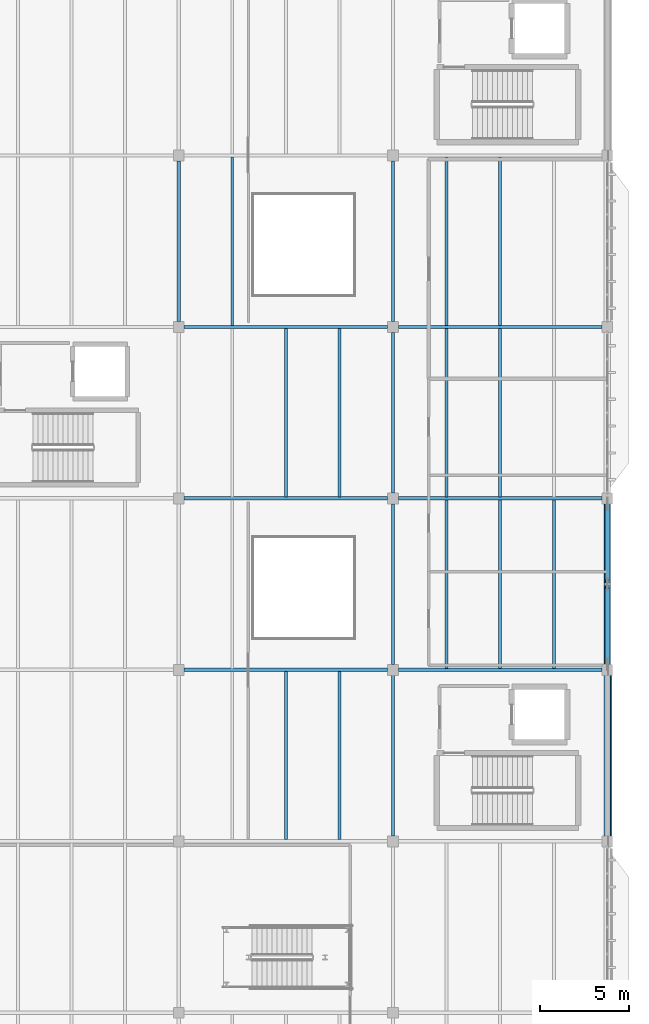
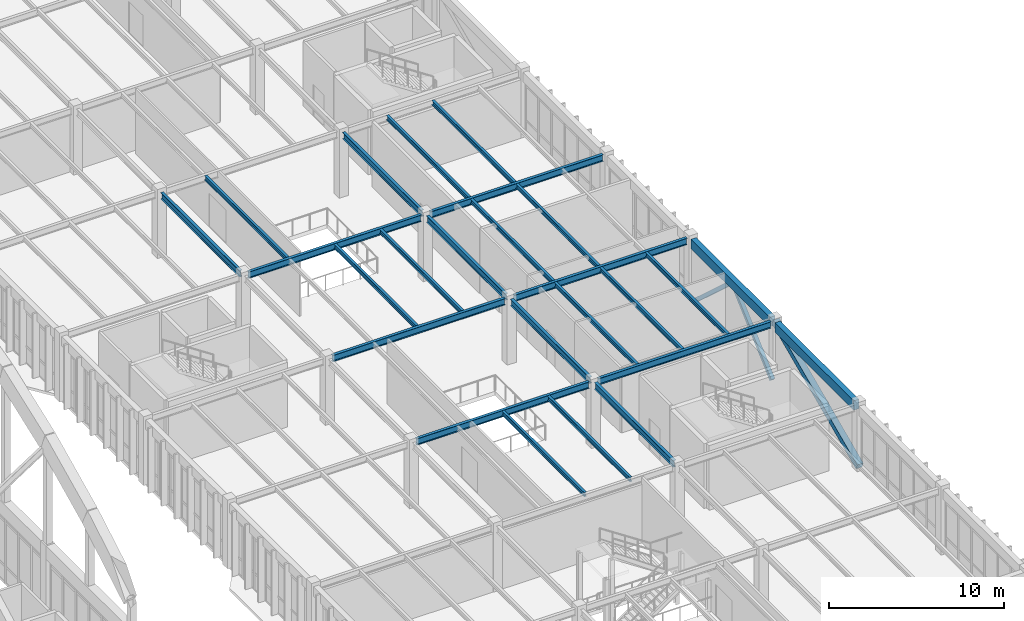
# One storey, part 148 of 236: 25 beams, 3 members.
"""IFC4 building model written with IfcOpenShell, lengths in metres."""

from ifc_helpers import new_model, si_unit, direction, frame, origin, origin_2d, place, context, subcontext, project, spatial, rectangle, hollow_rectangle, i_section, extrude, material, material_profile, profile_set, type_object, element, save


model = new_model("IFC4")

# Units and contexts
model_context = context("Model", 3, precision=1e-05, world=origin(), true_north=direction((0.0, 1.0)))
body_context = subcontext(model_context, "Body", "Model", "MODEL_VIEW")
ifc_project = project(units=[si_unit("LENGTHUNIT", "METRE"), si_unit("AREAUNIT", "SQUARE_METRE"), si_unit("VOLUMEUNIT", "CUBIC_METRE"), si_unit("PLANEANGLEUNIT", "RADIAN"), si_unit("MASSUNIT", "GRAM", prefix="KILO")], contexts=[model_context])

# Site, building, storey
site_placement = place(None, origin())
site = spatial("IfcSite", under=ifc_project, at=site_placement, CompositionType="ELEMENT")
building_placement = place(site_placement, origin())
building = spatial("IfcBuilding", under=site, at=building_placement, Name="Pandanus Reach Market Hall", CompositionType="ELEMENT")
storey_placement = place(building_placement, frame((0.0, 0.0, 5.39990234375)))
storey = spatial("IfcBuildingStorey", under=building, at=storey_placement, Name="L01", CompositionType="ELEMENT", Elevation=5.39990234375)

# Beams
ifc_material_1 = material(Name="Concrete N40 (40 MPa)", Category="concrete")
ifc_material_profile_1 = material_profile(ifc_material_1, rectangle(XDim=0.35009765625, YDim=0.64990234375, at=origin_2d()), Name="RC350x650", Category="LoadBearing")
ifc_profile_set_1 = profile_set([ifc_material_profile_1], Name="Concrete N40 (40 MPa)")
beam_type_1 = type_object("IfcBeamType", Name="BM-RC350-E", PredefinedType="SPANDREL", material=ifc_profile_set_1)
beam_1_placement = place(storey_placement, frame((180.0, 29.097900390625, 4.215087890625), z_axis=(0.0, 1.0, 0.0), x_axis=(-1.0, 0.0, 0.0)))
element("IfcBeam", 1, at=beam_1_placement, inside=storey, type_object=beam_type_1, Name="Framing beam BM-RC350-E L01.365", PredefinedType="SPANDREL", context=body_context, shape_type="SweptSolid", body=[
    extrude(rectangle(XDim=0.35009765625, YDim=0.64990234375, at=origin_2d()), origin(), (0.0, 0.0, 1.0), 9.004150390625),
])
beam_2_placement = place(storey_placement, frame((180.0, 38.697998046875, 4.215087890625), z_axis=(0.0, 1.0, 0.0), x_axis=(-1.0, 0.0, 0.0)))
element("IfcBeam", 2, at=beam_2_placement, inside=storey, type_object=beam_type_1, Name="Framing beam BM-RC350-E L01.366", PredefinedType="SPANDREL", context=body_context, shape_type="SweptSolid", body=[
    extrude(rectangle(XDim=0.35009765625, YDim=0.64990234375, at=origin_2d()), origin(), (0.0, 0.0, 1.0), 9.00390625),
])
ifc_material_2 = material(Name="Steel Grade 350 (350 MPa)", Category="steel")
ifc_material_profile_2 = material_profile(ifc_material_2, i_section(OverallWidth=0.18994140625, OverallDepth=0.45703125, WebThickness=0.009033203125, FlangeThickness=0.014404296875, at=origin_2d()), Name="460UB74.6", Category="LoadBearing")
ifc_profile_set_2 = profile_set([ifc_material_profile_2], Name="Steel Grade 350 (350 MPa)")
beam_type_2 = type_object("IfcBeamType", Name="BM-UB460-I", PredefinedType="BEAM", material=ifc_profile_set_2)
for number, where, z_axis, x_axis, name in (
    (3, (156.298095703125, 38.39990234375, 4.311279296875), (1.0, 0.0, 0.0), (0.0, 1.0, 0.0), "Framing beam BM-UB460-I L01.316"),
    (4, (168.298095703125, 38.39990234375, 4.311279296875), (1.0, 0.0, 0.0), (0.0, 1.0, 0.0), "Framing beam BM-UB460-I L01.317"),
    (5, (156.298095703125, 48.0, 4.311279296875), (1.0, 0.0, 0.0), (0.0, 1.0, 0.0), "Framing beam BM-UB460-I L01.319"),
    (6, (168.298095703125, 48.0, 4.311279296875), (1.0, 0.0, 0.0), (0.0, 1.0, 0.0), "Framing beam BM-UB460-I L01.320"),
    (7, (156.298095703125, 57.60009765625, 4.311279296875), (1.0, 0.0, 0.0), (0.0, 1.0, 0.0), "Framing beam BM-UB460-I L01.322"),
    (8, (168.298095703125, 57.60009765625, 4.311279296875), (1.0, 0.0, 0.0), (0.0, 1.0, 0.0), "Framing beam BM-UB460-I L01.323"),
):
    element("IfcBeam", number, at=place(storey_placement, frame(where, z_axis=z_axis, x_axis=x_axis)), inside=storey, type_object=beam_type_2, Name=name, PredefinedType="BEAM", context=body_context, shape_type="SweptSolid", body=[
        extrude(i_section(OverallWidth=0.18994140625, OverallDepth=0.45703125, WebThickness=0.009033203125, FlangeThickness=0.014404296875, at=origin_2d()), origin(), (0.0, 0.0, 1.0), 11.40380859375),
    ])
for number, where, z_axis, x_axis, name in (
    (9, (156.0, 57.89794921875, 4.311279296875), (0.0, 1.0, 0.0), (-1.0, 0.0, 0.0), "Framing beam BM-UB460-I L01.350"),
    (10, (168.0, 29.097900390625, 4.311279296875), (0.0, 1.0, 0.0), (-1.0, 0.0, 0.0), "Framing beam BM-UB460-I L01.356"),
):
    element("IfcBeam", number, at=place(storey_placement, frame(where, z_axis=z_axis, x_axis=x_axis)), inside=storey, type_object=beam_type_2, Name=name, PredefinedType="BEAM", context=body_context, shape_type="SweptSolid", body=[
        extrude(i_section(OverallWidth=0.18994140625, OverallDepth=0.45703125, WebThickness=0.009033203125, FlangeThickness=0.014404296875, at=origin_2d()), origin(), (0.0, 0.0, 1.0), 9.004150390625),
    ])
for number, where, z_axis, x_axis, name in (
    (11, (168.0, 38.697998046875, 4.311279296875), (0.0, 1.0, 0.0), (-1.0, 0.0, 0.0), "Framing beam BM-UB460-I L01.357"),
    (12, (168.0, 48.298095703125, 4.311279296875), (0.0, 1.0, 0.0), (-1.0, 0.0, 0.0), "Framing beam BM-UB460-I L01.358"),
):
    element("IfcBeam", number, at=place(storey_placement, frame(where, z_axis=z_axis, x_axis=x_axis)), inside=storey, type_object=beam_type_2, Name=name, PredefinedType="BEAM", context=body_context, shape_type="SweptSolid", body=[
        extrude(i_section(OverallWidth=0.18994140625, OverallDepth=0.45703125, WebThickness=0.009033203125, FlangeThickness=0.014404296875, at=origin_2d()), origin(), (0.0, 0.0, 1.0), 9.00390625),
    ])
beam_3_placement = place(storey_placement, frame((168.0, 57.89794921875, 4.311279296875), z_axis=(0.0, 1.0, 0.0), x_axis=(-1.0, 0.0, 0.0)))
element("IfcBeam", 13, at=beam_3_placement, inside=storey, type_object=beam_type_2, Name="Framing beam BM-UB460-I L01.359", PredefinedType="BEAM", context=body_context, shape_type="SweptSolid", body=[
    extrude(i_section(OverallWidth=0.18994140625, OverallDepth=0.45703125, WebThickness=0.009033203125, FlangeThickness=0.014404296875, at=origin_2d()), origin(), (0.0, 0.0, 1.0), 9.004150390625),
])

# Members
ifc_material_profile_3 = material_profile(ifc_material_2, hollow_rectangle(XDim=0.25, YDim=0.25, WallThickness=0.010009765625, at=origin_2d()), Name="250x250x10.0SHS", Category="LoadBearing")
ifc_profile_set_3 = profile_set([ifc_material_profile_3], Name="Steel Grade 350 (350 MPa)")
member_type_1 = type_object("IfcMemberType", Name="BR-SHS250-E", PredefinedType="BRACE", material=ifc_profile_set_3)
member_1_placement = place(storey_placement, frame((180.0, 38.68994140625, 0.150146484375), z_axis=(0.0, 0.741105024473, 0.671389114225), x_axis=(-1.0, 0.0, 0.0)))
element("IfcMember", 14, at=member_1_placement, inside=storey, type_object=member_type_1, Name="Chevron brace BR-SHS250-E 13A", PredefinedType="BRACE", context=body_context, shape_type="SweptSolid", body=[
    extrude(hollow_rectangle(XDim=0.25, YDim=0.25, WallThickness=0.010009765625, at=origin_2d()), origin(), (0.0, 0.0, 1.0), 5.88330078125),
])
member_2_placement = place(storey_placement, frame((180.0, 47.7099609375, 0.150146484375), z_axis=(0.0, -0.741086318029, 0.671409762537), x_axis=(1.0, 0.0, 0.0)))
element("IfcMember", 15, at=member_2_placement, inside=storey, type_object=member_type_1, Name="Chevron brace BR-SHS250-E 13B", PredefinedType="BRACE", context=body_context, shape_type="SweptSolid", body=[
    extrude(hollow_rectangle(XDim=0.25, YDim=0.25, WallThickness=0.010009765625, at=origin_2d()), origin(), (0.0, 0.0, 1.0), 5.883056640625),
])

# Beams
ifc_material_profile_4 = material_profile(ifc_material_2, i_section(OverallWidth=0.166015625, OverallDepth=0.306884765625, WebThickness=0.006591796875, FlangeThickness=0.01171875, at=origin_2d()), Name="310UB46.2", Category="LoadBearing")
ifc_profile_set_4 = profile_set([ifc_material_profile_4], Name="Steel Grade 350 (350 MPa)")
beam_type_3 = type_object("IfcBeamType", Name="JS-UB310H-I", PredefinedType="JOIST", material=ifc_profile_set_4)
for number, where, z_axis, x_axis, name in (
    (16, (162.0, 28.89306640625, 4.38623046875), (0.0, 1.0, 0.0), (-1.0, 0.0, 0.0), "Secondary joist JS-UB310H-I L01.400"),
    (17, (165.0, 28.89306640625, 4.38623046875), (0.0, 1.0, 0.0), (-1.0, 0.0, 0.0), "Secondary joist JS-UB310H-I L01.401"),
):
    element("IfcBeam", number, at=place(storey_placement, frame(where, z_axis=z_axis, x_axis=x_axis)), inside=storey, type_object=beam_type_3, Name=name, PredefinedType="JOIST", context=body_context, shape_type="SweptSolid", body=[
        extrude(i_section(OverallWidth=0.166015625, OverallDepth=0.306884765625, WebThickness=0.006591796875, FlangeThickness=0.01171875, at=origin_2d()), origin(), (0.0, 0.0, 1.0), 9.413818359375),
    ])
for number, where, z_axis, x_axis, name in (
    (18, (162.0, 48.093017578125, 4.38623046875), (0.0, 1.0, 0.0), (-1.0, 0.0, 0.0), "Secondary joist JS-UB310H-I L01.404"),
    (19, (165.0, 48.093017578125, 4.38623046875), (0.0, 1.0, 0.0), (-1.0, 0.0, 0.0), "Secondary joist JS-UB310H-I L01.405"),
):
    element("IfcBeam", number, at=place(storey_placement, frame(where, z_axis=z_axis, x_axis=x_axis)), inside=storey, type_object=beam_type_3, Name=name, PredefinedType="JOIST", context=body_context, shape_type="SweptSolid", body=[
        extrude(i_section(OverallWidth=0.166015625, OverallDepth=0.306884765625, WebThickness=0.006591796875, FlangeThickness=0.01171875, at=origin_2d()), origin(), (0.0, 0.0, 1.0), 9.4140625),
    ])
beam_4_placement = place(storey_placement, frame((159.0, 57.693115234375, 4.38623046875), z_axis=(0.0, 1.0, 0.0), x_axis=(-1.0, 0.0, 0.0)))
element("IfcBeam", 20, at=beam_4_placement, inside=storey, type_object=beam_type_3, Name="Secondary joist JS-UB310H-I L01.406", PredefinedType="JOIST", context=body_context, shape_type="SweptSolid", body=[
    extrude(i_section(OverallWidth=0.166015625, OverallDepth=0.306884765625, WebThickness=0.006591796875, FlangeThickness=0.01171875, at=origin_2d()), origin(), (0.0, 0.0, 1.0), 9.413818359375),
])
for number, where, z_axis, x_axis, name in (
    (21, (171.0, 38.492919921875, 4.38623046875), (0.0, 1.0, 0.0), (-1.0, 0.0, 0.0), "Secondary joist JS-UB310H-I L01.422"),
    (22, (174.0, 38.492919921875, 4.38623046875), (0.0, 1.0, 0.0), (-1.0, 0.0, 0.0), "Secondary joist JS-UB310H-I L01.423"),
    (23, (177.0, 38.492919921875, 4.38623046875), (0.0, 1.0, 0.0), (-1.0, 0.0, 0.0), "Secondary joist JS-UB310H-I L01.424"),
    (24, (171.0, 48.093017578125, 4.38623046875), (0.0, 1.0, 0.0), (-1.0, 0.0, 0.0), "Secondary joist JS-UB310H-I L01.425"),
    (25, (174.0, 48.093017578125, 4.38623046875), (0.0, 1.0, 0.0), (-1.0, 0.0, 0.0), "Secondary joist JS-UB310H-I L01.426"),
):
    element("IfcBeam", number, at=place(storey_placement, frame(where, z_axis=z_axis, x_axis=x_axis)), inside=storey, type_object=beam_type_3, Name=name, PredefinedType="JOIST", context=body_context, shape_type="SweptSolid", body=[
        extrude(i_section(OverallWidth=0.166015625, OverallDepth=0.306884765625, WebThickness=0.006591796875, FlangeThickness=0.01171875, at=origin_2d()), origin(), (0.0, 0.0, 1.0), 9.4140625),
    ])
for number, where, z_axis, x_axis, name in (
    (26, (171.0, 57.693115234375, 4.38623046875), (0.0, 1.0, 0.0), (-1.0, 0.0, 0.0), "Secondary joist JS-UB310H-I L01.428"),
    (27, (174.0, 57.693115234375, 4.38623046875), (0.0, 1.0, 0.0), (-1.0, 0.0, 0.0), "Secondary joist JS-UB310H-I L01.429"),
):
    element("IfcBeam", number, at=place(storey_placement, frame(where, z_axis=z_axis, x_axis=x_axis)), inside=storey, type_object=beam_type_3, Name=name, PredefinedType="JOIST", context=body_context, shape_type="SweptSolid", body=[
        extrude(i_section(OverallWidth=0.166015625, OverallDepth=0.306884765625, WebThickness=0.006591796875, FlangeThickness=0.01171875, at=origin_2d()), origin(), (0.0, 0.0, 1.0), 9.413818359375),
    ])

# Member
ifc_material_3 = material(Name="Concrete N50 (50 MPa)", Category="concrete")
ifc_material_profile_5 = material_profile(ifc_material_3, rectangle(XDim=0.39990234375, YDim=0.39990234375, at=origin_2d()), Name="RC400x400", Category="LoadBearing")
ifc_profile_set_5 = profile_set([ifc_material_profile_5], Name="Concrete N50 (50 MPa)")
member_type_2 = type_object("IfcMemberType", Name="VS-RC400-E", PredefinedType="STRUT", material=ifc_profile_set_5)
member_3_placement = place(storey_placement, frame((180.050048828125, 28.800048828125, 0.10009765625), z_axis=(0.0, 0.912627586752, 0.4087919861), x_axis=(-1.0, 0.0, 0.0)))
element("IfcMember", 28, at=member_3_placement, inside=storey, type_object=member_type_2, Name="Sculpted concrete diagrid rib 1", PredefinedType="STRUT", context=body_context, shape_type="SweptSolid", body=[
    extrude(rectangle(XDim=0.39990234375, YDim=0.39990234375, at=origin_2d()), origin(), (0.0, 0.0, 1.0), 10.518798828125),
])

save(model, "model.ifc")
